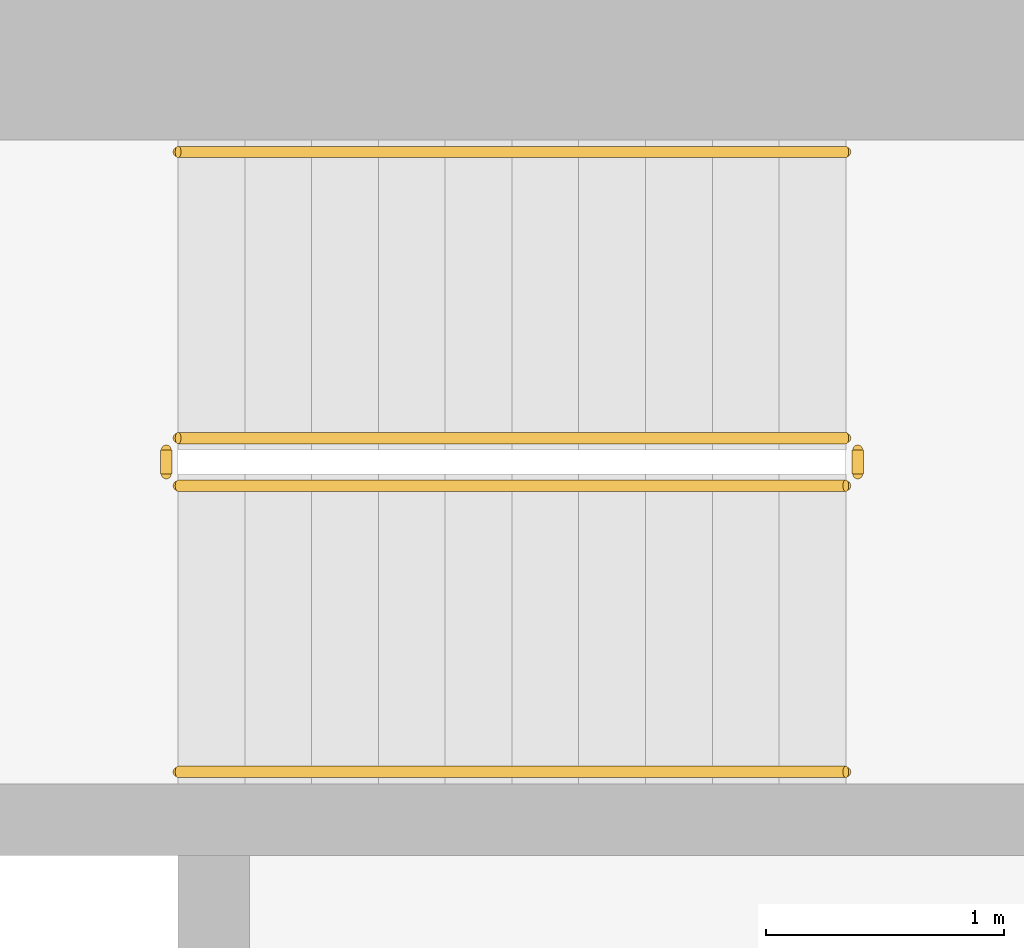
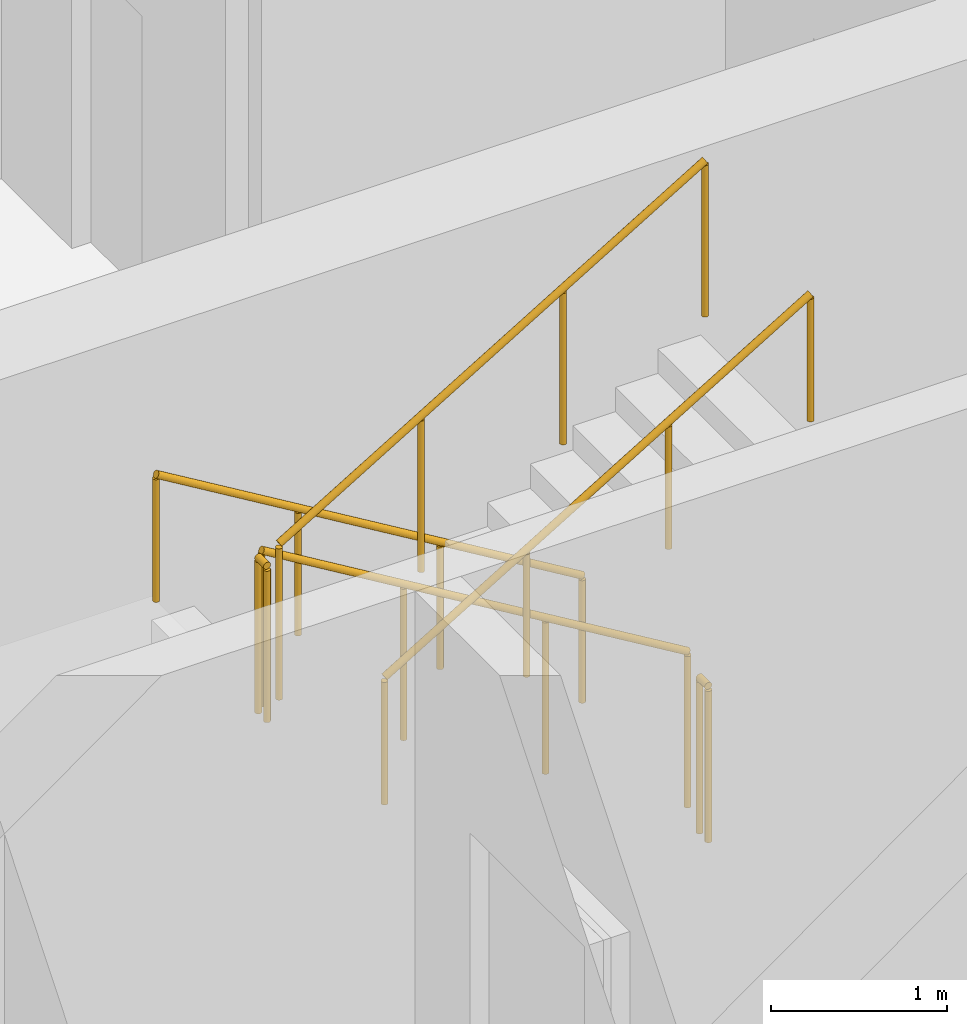
# One storey, part 18 of 23: 6 railings.
"""IFC4 building model written with IfcOpenShell, lengths in metres."""

from ifc_helpers import new_model, si_unit, direction, frame, origin, origin_2d, place, context, subcontext, project, spatial, circle, extrude, material, type_object, element, save


model = new_model("IFC4")

# Units and contexts
model_context = context("Model", 3, precision=1e-05, world=origin(), true_north=direction((0.0, 1.0)))
body_context = subcontext(model_context, "Body", "Model", "MODEL_VIEW")
ifc_project = project(units=[si_unit("LENGTHUNIT", "METRE"), si_unit("AREAUNIT", "SQUARE_METRE"), si_unit("VOLUMEUNIT", "CUBIC_METRE"), si_unit("PLANEANGLEUNIT", "RADIAN"), si_unit("MASSUNIT", "GRAM", prefix="KILO")], contexts=[model_context])

# Site, building, storey
site_placement = place(None, origin())
site = spatial("IfcSite", under=ifc_project, at=site_placement, CompositionType="ELEMENT")
building_placement = place(site_placement, origin())
building = spatial("IfcBuilding", under=site, at=building_placement, Name="Ogive Portal Towers", CompositionType="ELEMENT")
storey_placement = place(building_placement, frame((0.0, 0.0, 186.60009765625)))
storey = spatial("IfcBuildingStorey", under=building, at=storey_placement, Name="L46", CompositionType="ELEMENT", Elevation=186.60009765625)

# Railings
ifc_material_1 = material(Name="Stainless steel balustrade", Category="steel")
railing_type_1 = type_object("IfcRailingType", Name="INT-GUARD", PredefinedType="GUARDRAIL", material=ifc_material_1)
railing_1_placement = place(storey_placement, frame((37.449951171875, 37.800048828125, 0.16796875)))
element("IfcRailing", 1, at=railing_1_placement, inside=storey, type_object=railing_type_1, Name="L46 ST-A1 stair guard 1", PredefinedType="GUARDRAIL", context=body_context, shape_type="SweptSolid", body=[
    extrude(circle(Radius=0.02392578125, at=origin_2d()), frame((0.0, 0.0, 1.076171875), z_axis=(-0.857242210791, 0.0, 0.514913383045), x_axis=(0.0, -1.0, 0.0)), (0.0, 0.0, 1.0), 3.266357421875),
    extrude(circle(Radius=0.02099609375, at=origin_2d()), origin(), (0.0, 0.0, 1.0), 1.052001953125),
    extrude(circle(Radius=0.02099609375, at=origin_2d()), frame((-0.933349609375, 0.0, 0.560546875)), (0.0, 0.0, 1.0), 1.052001953125),
    extrude(circle(Radius=0.02099609375, at=origin_2d()), frame((-1.86669921875, 0.0, 1.121337890625)), (0.0, 0.0, 1.0), 1.052001953125),
    extrude(circle(Radius=0.02099609375, at=origin_2d()), frame((-2.800048828125, 0.0, 1.681884765625)), (0.0, 0.0, 1.0), 1.052001953125),
])
railing_2_placement = place(storey_placement, frame((34.60009765625, 37.75, 1.849853515625)))
element("IfcRailing", 2, at=railing_2_placement, inside=storey, type_object=railing_type_1, Name="L46 ST-A1 stair guard 2", PredefinedType="GUARDRAIL", context=body_context, shape_type="SweptSolid", body=[
    extrude(circle(Radius=0.02392578125, at=origin_2d()), frame((0.0, 0.0, 1.076171875), z_axis=(0.0, -1.0, 0.0), x_axis=(1.0, 0.0, 0.0)), (0.0, 0.0, 1.0), 0.10009765625),
    extrude(circle(Radius=0.02099609375, at=origin_2d()), origin(), (0.0, 0.0, 1.0), 1.052001953125),
    extrude(circle(Radius=0.02099609375, at=origin_2d()), frame((0.0, -0.10009765625, 0.0)), (0.0, 0.0, 1.0), 1.052001953125),
])
railing_3_placement = place(storey_placement, frame((34.64990234375, 37.60009765625, 2.01806640625)))
element("IfcRailing", 3, at=railing_3_placement, inside=storey, type_object=railing_type_1, Name="L46 ST-A1 stair guard 3", PredefinedType="GUARDRAIL", context=body_context, shape_type="SweptSolid", body=[
    extrude(circle(Radius=0.02392578125, at=origin_2d()), frame((0.0, 0.0, 1.076171875), z_axis=(0.857242210791, 0.0, 0.514913383045), x_axis=(0.0, 1.0, 0.0)), (0.0, 0.0, 1.0), 3.266357421875),
    extrude(circle(Radius=0.02099609375, at=origin_2d()), origin(), (0.0, 0.0, 1.0), 1.052001953125),
    extrude(circle(Radius=0.02099609375, at=origin_2d()), frame((0.933349609375, 0.0, 0.560546875)), (0.0, 0.0, 1.0), 1.052001953125),
    extrude(circle(Radius=0.02099609375, at=origin_2d()), frame((1.86669921875, 0.0, 1.121337890625)), (0.0, 0.0, 1.0), 1.052001953125),
    extrude(circle(Radius=0.02099609375, at=origin_2d()), frame((2.800048828125, 0.0, 1.681884765625)), (0.0, 0.0, 1.0), 1.052001953125),
])
railing_4_placement = place(storey_placement, frame((37.5, 37.75, 0.0)))
element("IfcRailing", 4, at=railing_4_placement, inside=storey, type_object=railing_type_1, Name="L46 ST-A1 stair guard 4", PredefinedType="GUARDRAIL", context=body_context, shape_type="SweptSolid", body=[
    extrude(circle(Radius=0.02392578125, at=origin_2d()), frame((0.0, 0.0, 1.076171875), z_axis=(0.0, -1.0, 0.0), x_axis=(1.0, 0.0, 0.0)), (0.0, 0.0, 1.0), 0.10009765625),
    extrude(circle(Radius=0.02099609375, at=origin_2d()), origin(), (0.0, 0.0, 1.0), 1.052001953125),
    extrude(circle(Radius=0.02099609375, at=origin_2d()), frame((0.0, -0.10009765625, 0.0)), (0.0, 0.0, 1.0), 1.052001953125),
])
ifc_material_2 = material(Name="Stainless steel handrail", Category="steel")
railing_type_2 = type_object("IfcRailingType", Name="INT-HANDRAIL", PredefinedType="HANDRAIL", material=ifc_material_2)
railing_5_placement = place(storey_placement, frame((37.449951171875, 39.0, 0.16796875)))
element("IfcRailing", 5, at=railing_5_placement, inside=storey, type_object=railing_type_2, Name="L46 ST-A1 stair handrail 1", PredefinedType="HANDRAIL", context=body_context, shape_type="SweptSolid", body=[
    extrude(circle(Radius=0.02392578125, at=origin_2d()), frame((0.0, 0.0, 0.8759765625), z_axis=(-0.857242210791, 0.0, 0.514913383045), x_axis=(0.0, -1.0, 0.0)), (0.0, 0.0, 1.0), 3.266357421875),
    extrude(circle(Radius=0.02099609375, at=origin_2d()), origin(), (0.0, 0.0, 1.0), 0.851806640625),
    extrude(circle(Radius=0.02099609375, at=origin_2d()), frame((-0.933349609375, 0.0, 0.560546875)), (0.0, 0.0, 1.0), 0.851806640625),
    extrude(circle(Radius=0.02099609375, at=origin_2d()), frame((-1.86669921875, 0.0, 1.121337890625)), (0.0, 0.0, 1.0), 0.851806640625),
    extrude(circle(Radius=0.02099609375, at=origin_2d()), frame((-2.800048828125, 0.0, 1.681884765625)), (0.0, 0.0, 1.0), 0.851806640625),
])
railing_6_placement = place(storey_placement, frame((34.64990234375, 36.39990234375, 2.01806640625)))
element("IfcRailing", 6, at=railing_6_placement, inside=storey, type_object=railing_type_2, Name="L46 ST-A1 stair handrail 2", PredefinedType="HANDRAIL", context=body_context, shape_type="SweptSolid", body=[
    extrude(circle(Radius=0.02392578125, at=origin_2d()), frame((0.0, 0.0, 0.8759765625), z_axis=(0.857242210791, 0.0, 0.514913383045), x_axis=(0.0, 1.0, 0.0)), (0.0, 0.0, 1.0), 3.266357421875),
    extrude(circle(Radius=0.02099609375, at=origin_2d()), origin(), (0.0, 0.0, 1.0), 0.851806640625),
    extrude(circle(Radius=0.02099609375, at=origin_2d()), frame((0.933349609375, 0.0, 0.560546875)), (0.0, 0.0, 1.0), 0.851806640625),
    extrude(circle(Radius=0.02099609375, at=origin_2d()), frame((1.86669921875, 0.0, 1.121337890625)), (0.0, 0.0, 1.0), 0.851806640625),
    extrude(circle(Radius=0.02099609375, at=origin_2d()), frame((2.800048828125, 0.0, 1.681884765625)), (0.0, 0.0, 1.0), 0.851806640625),
])

save(model, "model.ifc")
